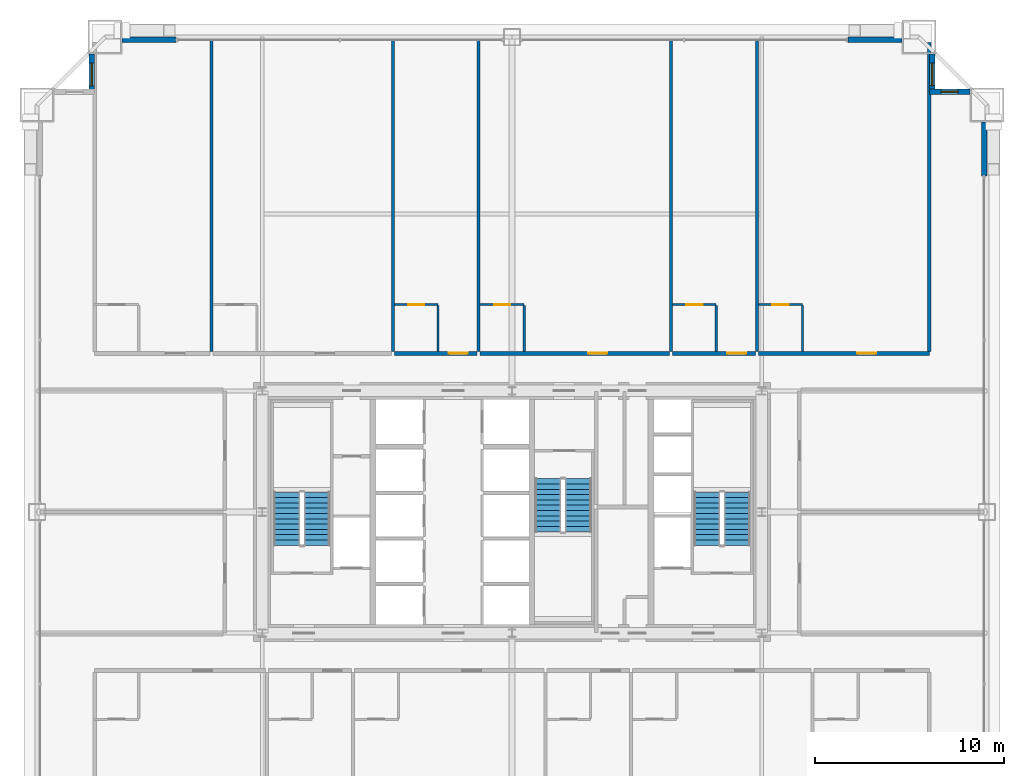
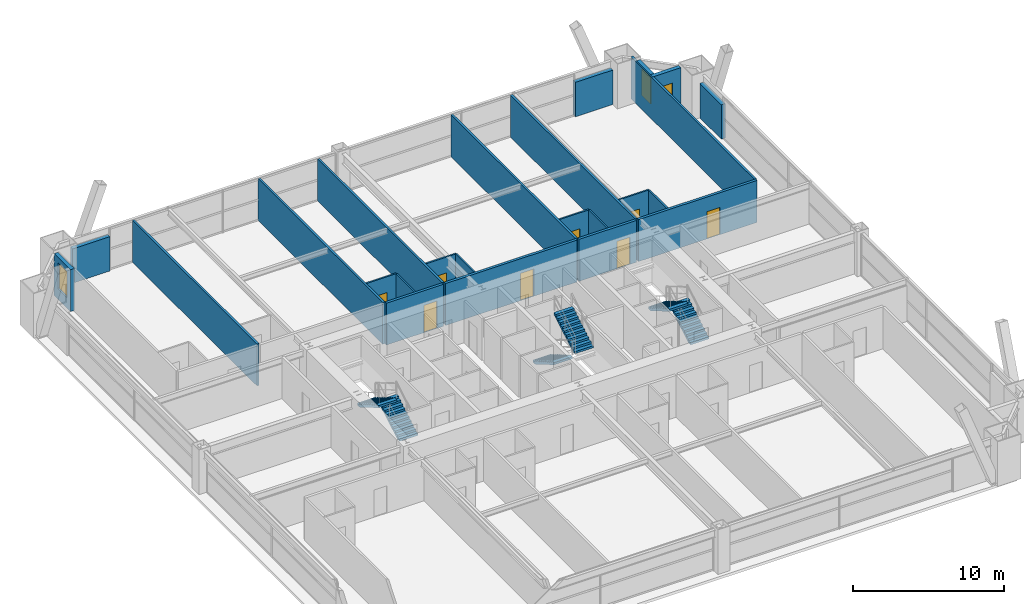
# One storey, part 42 of 43: 24 walls, 8 doors, 6 stair flights, 3 windows, 11 openings, 3 elements without a shape of their own.
"""IFC4 building model written with IfcOpenShell, lengths in metres."""

from ifc_helpers import new_model, si_unit, direction, frame, frame_2d, origin, place, context, subcontext, project, spatial, polyline, rectangle, outline, extrude, source, transform, mapped, material, layer, layer_set, type_object, element, fill, aggregate, save


model = new_model("IFC4")

# Units and contexts
model_context = context("Model", 3, precision=1e-05, world=origin(), true_north=direction((0.0, 1.0)))
body_context = subcontext(model_context, "Body", "Model", "MODEL_VIEW")
ifc_project = project(units=[si_unit("LENGTHUNIT", "METRE"), si_unit("AREAUNIT", "SQUARE_METRE"), si_unit("VOLUMEUNIT", "CUBIC_METRE"), si_unit("PLANEANGLEUNIT", "RADIAN"), si_unit("MASSUNIT", "GRAM", prefix="KILO"), si_unit("THERMODYNAMICTEMPERATUREUNIT", "KELVIN"), si_unit("POWERUNIT", "WATT")], contexts=[model_context])

# Site, building, storey
site_placement = place(None, origin())
site = spatial("IfcSite", under=ifc_project, at=site_placement, CompositionType="ELEMENT")
building_placement = place(site_placement, origin())
building = spatial("IfcBuilding", under=site, at=building_placement, Name="Yuzanri Waterfront Tower", CompositionType="ELEMENT")
storey_placement = place(building_placement, frame((0.0, 0.0, 74.800048828125)))
storey = spatial("IfcBuildingStorey", under=building, at=storey_placement, Name="L19", CompositionType="ELEMENT", Elevation=74.800048828125)

# Wall, opening, door
ifc_material_1 = material(Name="Moisture-Resistant Gypsum Stud Wall", Category="gypsum")
ifc_layer_1 = layer(ifc_material_1, 0.1201171875)
ifc_layer_set_1 = layer_set([ifc_layer_1], Name="Moisture-Resistant Gypsum Stud Wall")
wall_type_1 = type_object("IfcWallType", Name="Bathroom and Kitchen Wet Partition 120", PredefinedType="PARTITIONING", material=ifc_layer_set_1)
wall_1_placement = place(storey_placement, frame((30.785888671875, 36.760009765625, 0.0), z_axis=(0.0, 0.0, 1.0), x_axis=(1.0, 0.0, 0.0)))
wall_1 = element("IfcWall", 1, at=wall_1_placement, inside=storey, type_object=wall_type_1, Name="L19 Partition UW-L19-N3-BN", PredefinedType="PARTITIONING", context=body_context, shape_type="SweptSolid", body=[
    extrude(rectangle(XDim=2.299072265625, YDim=0.1201171875, at=frame_2d((1.1494140625, 0.0))), origin(), (0.0, 0.0, 1.0), 3.3798828125),
])
opening_1_placement = place(wall_1_placement, frame((0.724609375, 0.0, 0.0)))
opening_1 = element("IfcOpeningElement", 2, at=opening_1_placement, cuts=wall_1, Name="Opening ID-0850", PredefinedType="OPENING", context=body_context, shape_type="SweptSolid", body=[
    extrude(rectangle(XDim=0.85009765625, YDim=2.10009765625, at=frame_2d((0.425048828125, 1.050048828125))), frame((0.0, 0.074951171875, 0.0), z_axis=(0.0, -1.0, 0.0), x_axis=(1.0, 0.0, 0.0)), (0.0, 0.0, 1.0), 0.14990234375),
])
ifc_material_2 = material(Name="Moisture-Resistant Lacquered Timber", Category="wood")
door_type_1 = type_object("IfcDoorType", Name="En-Suite Bathroom and Kitchen Swing Door 850x2100", OperationType="NOTDEFINED", PredefinedType="DOOR", material=ifc_material_2)
shared_shape_1 = source(origin(), body_context, "Body", "SweptSolid", [
    extrude(rectangle(XDim=0.85009765625, YDim=2.10009765625, at=frame_2d((0.425048828125, 1.050048828125))), frame((0.0, 0.02490234375, 0.0), z_axis=(0.0, -1.0, 0.0), x_axis=(1.0, 0.0, 0.0)), (0.0, 0.0, 1.0), 0.050048828125),
])
door_1_placement = place(opening_1_placement, origin())
door_1 = element("IfcDoor", 3, at=door_1_placement, inside=storey, type_object=door_type_1, Name="L19 Guest En-Suite Door", OperationType="SINGLE_SWING_LEFT", OverallHeight=2.10009765625, OverallWidth=0.85009765625, PredefinedType="DOOR", context=body_context, shape_type="MappedRepresentation", body=[
    mapped(shared_shape_1, transform((0.0, 0.0, 0.0), scale=1.0)),
])
fill(opening_1, door_1)

wall_2_placement = place(storey_placement, frame((35.31494140625, 36.760009765625, 0.0), z_axis=(0.0, 0.0, 1.0), x_axis=(1.0, 0.0, 0.0)))
wall_2 = element("IfcWall", 4, at=wall_2_placement, inside=storey, type_object=wall_type_1, Name="L19 Partition UW-L19-N4-BN", PredefinedType="PARTITIONING", context=body_context, shape_type="SweptSolid", body=[
    extrude(rectangle(XDim=2.330078125, YDim=0.1201171875, at=frame_2d((1.1650390625, 0.0))), origin(), (0.0, 0.0, 1.0), 3.3798828125),
])
opening_2_placement = place(wall_2_placement, frame((0.739990234375, 0.0, 0.0)))
opening_2 = element("IfcOpeningElement", 5, at=opening_2_placement, cuts=wall_2, Name="Opening ID-0850", PredefinedType="OPENING", context=body_context, shape_type="SweptSolid", body=[
    extrude(rectangle(XDim=0.85009765625, YDim=2.10009765625, at=frame_2d((0.425048828125, 1.050048828125))), frame((0.0, 0.074951171875, 0.0), z_axis=(0.0, -1.0, 0.0), x_axis=(1.0, 0.0, 0.0)), (0.0, 0.0, 1.0), 0.14990234375),
])
door_2_placement = place(opening_2_placement, origin())
door_2 = element("IfcDoor", 6, at=door_2_placement, inside=storey, type_object=door_type_1, Name="L19 Guest En-Suite Door", OperationType="SINGLE_SWING_LEFT", OverallHeight=2.10009765625, OverallWidth=0.85009765625, PredefinedType="DOOR", context=body_context, shape_type="MappedRepresentation", body=[
    mapped(shared_shape_1, transform((0.0, 0.0, 0.0), scale=1.0)),
])
fill(opening_2, door_2)

wall_3_placement = place(storey_placement, frame((45.491943359375, 36.760009765625, 0.0), z_axis=(0.0, 0.0, 1.0), x_axis=(1.0, 0.0, 0.0)))
wall_3 = element("IfcWall", 7, at=wall_3_placement, inside=storey, type_object=wall_type_1, Name="L19 Partition UW-L19-N5-BN", PredefinedType="PARTITIONING", context=body_context, shape_type="SweptSolid", body=[
    extrude(rectangle(XDim=2.300048828125, YDim=0.1201171875, at=frame_2d((1.14990234375, 0.0))), origin(), (0.0, 0.0, 1.0), 3.3798828125),
])
opening_3_placement = place(wall_3_placement, frame((0.72509765625, 0.0, 0.0)))
opening_3 = element("IfcOpeningElement", 8, at=opening_3_placement, cuts=wall_3, Name="Opening ID-0850", PredefinedType="OPENING", context=body_context, shape_type="SweptSolid", body=[
    extrude(rectangle(XDim=0.85009765625, YDim=2.10009765625, at=frame_2d((0.425048828125, 1.050048828125))), frame((0.0, 0.074951171875, 0.0), z_axis=(0.0, -1.0, 0.0), x_axis=(1.0, 0.0, 0.0)), (0.0, 0.0, 1.0), 0.14990234375),
])
door_3_placement = place(opening_3_placement, origin())
door_3 = element("IfcDoor", 9, at=door_3_placement, inside=storey, type_object=door_type_1, Name="L19 Guest En-Suite Door", OperationType="SINGLE_SWING_LEFT", OverallHeight=2.10009765625, OverallWidth=0.85009765625, PredefinedType="DOOR", context=body_context, shape_type="MappedRepresentation", body=[
    mapped(shared_shape_1, transform((0.0, 0.0, 0.0), scale=1.0)),
])
fill(opening_3, door_3)

wall_4_placement = place(storey_placement, frame((50.02197265625, 36.760009765625, 0.0), z_axis=(0.0, 0.0, 1.0), x_axis=(1.0, 0.0, 0.0)))
wall_4 = element("IfcWall", 10, at=wall_4_placement, inside=storey, type_object=wall_type_1, Name="L19 Partition UW-L19-N6-BN", PredefinedType="PARTITIONING", context=body_context, shape_type="SweptSolid", body=[
    extrude(rectangle(XDim=2.330078125, YDim=0.1201171875, at=frame_2d((1.1650390625, 0.0))), origin(), (0.0, 0.0, 1.0), 3.3798828125),
])
opening_4_placement = place(wall_4_placement, frame((0.739990234375, 0.0, 0.0)))
opening_4 = element("IfcOpeningElement", 11, at=opening_4_placement, cuts=wall_4, Name="Opening ID-0850", PredefinedType="OPENING", context=body_context, shape_type="SweptSolid", body=[
    extrude(rectangle(XDim=0.85009765625, YDim=2.10009765625, at=frame_2d((0.425048828125, 1.050048828125))), frame((0.0, 0.074951171875, 0.0), z_axis=(0.0, -1.0, 0.0), x_axis=(1.0, 0.0, 0.0)), (0.0, 0.0, 1.0), 0.14990234375),
])
door_4_placement = place(opening_4_placement, origin())
door_4 = element("IfcDoor", 12, at=door_4_placement, inside=storey, type_object=door_type_1, Name="L19 Guest En-Suite Door", OperationType="SINGLE_SWING_LEFT", OverallHeight=2.10009765625, OverallWidth=0.85009765625, PredefinedType="DOOR", context=body_context, shape_type="MappedRepresentation", body=[
    mapped(shared_shape_1, transform((0.0, 0.0, 0.0), scale=1.0)),
])
fill(opening_4, door_4)

# Wall, opening, window
ifc_material_3 = material(Name="Honed Chongqing Dark Basalt Stone", Category="masonry")
ifc_layer_2 = layer(ifc_material_3, 0.300048828125)
ifc_layer_set_2 = layer_set([ifc_layer_2], Name="Honed Chongqing Dark Basalt Stone")
wall_type_2 = type_object("IfcWallType", Name="Bronze Rainscreen Insulated Spandrel Portal Wall 300", PredefinedType="SOLIDWALL", material=ifc_layer_set_2)
wall_5_placement = place(storey_placement, frame((14.800048828125, 50.0, 0.0), z_axis=(0.0, 0.0, 1.0), x_axis=(0.0, -1.0, 0.0)))
wall_5 = element("IfcWall", 13, at=wall_5_placement, inside=storey, type_object=wall_type_2, Name="L19 Notched Corner Masonry Wall NW-Y", PredefinedType="SOLIDWALL", context=body_context, shape_type="SweptSolid", body=[
    extrude(rectangle(XDim=2.14990234375, YDim=0.300048828125, at=frame_2d((1.074951171875, 0.0))), origin(), (0.0, 0.0, 1.0), 3.3798828125),
])
opening_5_placement = place(wall_5_placement, frame((0.47509765625, 0.0, 0.85009765625)))
opening_5 = element("IfcOpeningElement", 14, at=opening_5_placement, cuts=wall_5, Name="Opening WN-02", PredefinedType="OPENING", context=body_context, shape_type="SweptSolid", body=[
    extrude(rectangle(XDim=1.199951171875, YDim=2.10009765625, at=frame_2d((0.60009765625, 1.050048828125))), frame((0.0, 0.1650390625, 0.0), z_axis=(0.0, -1.0, 0.0), x_axis=(1.0, 0.0, 0.0)), (0.0, 0.0, 1.0), 0.329833984375),
])
ifc_material_4 = material(Name="Double-Silver Low-E Insulated Glass", Category="glass")
window_type_1 = type_object("IfcWindowType", Name="Anodized Bronze Notched Corner Deep-Set Slot Window 1200x2100", PartitioningType="SINGLE_PANEL", PredefinedType="WINDOW", material=ifc_material_4)
shared_shape_2 = source(origin(), body_context, "Body", "SweptSolid", [
    extrude(rectangle(XDim=1.199951171875, YDim=2.10009765625, at=frame_2d((0.60009765625, 1.050048828125))), frame((0.0, 0.030029296875, 0.0), z_axis=(0.0, -1.0, 0.0), x_axis=(1.0, 0.0, 0.0)), (0.0, 0.0, 1.0), 0.06005859375),
])
window_1_placement = place(opening_5_placement, origin())
window_1 = element("IfcWindow", 15, at=window_1_placement, inside=storey, type_object=window_type_1, Name="L19 Notched Corner Window NW-Y", OverallHeight=2.10009765625, OverallWidth=1.199951171875, PartitioningType="SINGLE_PANEL", PredefinedType="WINDOW", context=body_context, shape_type="MappedRepresentation", body=[
    mapped(shared_shape_2, transform((0.0, 0.0, 0.0), scale=1.0)),
])
fill(opening_5, window_1)

wall_6_placement = place(storey_placement, frame((61.199951171875, 48.0, 0.0), z_axis=(0.0, 0.0, 1.0), x_axis=(-1.0, 0.0, 0.0)))
wall_6 = element("IfcWall", 16, at=wall_6_placement, inside=storey, type_object=wall_type_2, Name="L19 Notched Corner Masonry Wall NE-X", PredefinedType="SOLIDWALL", context=body_context, shape_type="SweptSolid", body=[
    extrude(rectangle(XDim=2.14990234375, YDim=0.300048828125, at=frame_2d((1.074951171875, 0.0))), origin(), (0.0, 0.0, 1.0), 3.3798828125),
])
opening_6_placement = place(wall_6_placement, frame((0.625, 0.0, 0.85009765625)))
opening_6 = element("IfcOpeningElement", 17, at=opening_6_placement, cuts=wall_6, Name="Opening WN-05", PredefinedType="OPENING", context=body_context, shape_type="SweptSolid", body=[
    extrude(rectangle(XDim=0.89990234375, YDim=1.5, at=frame_2d((0.449951171875, 0.75))), frame((0.0, 0.1650390625, 0.0), z_axis=(0.0, -1.0, 0.0), x_axis=(1.0, 0.0, 0.0)), (0.0, 0.0, 1.0), 0.329833984375),
])
ifc_material_5 = material(Name="Double-Silver Low-E Insulated Glass", Category="glass")
window_type_2 = type_object("IfcWindowType", Name="Anodized Bronze Service and Stairwell Smoke-Vent Window 900x1500", PartitioningType="SINGLE_PANEL", PredefinedType="WINDOW", material=ifc_material_5)
shared_shape_3 = source(origin(), body_context, "Body", "SweptSolid", [
    extrude(rectangle(XDim=0.89990234375, YDim=1.5, at=frame_2d((0.449951171875, 0.75))), frame((0.0, 0.030029296875, 0.0), z_axis=(0.0, -1.0, 0.0), x_axis=(1.0, 0.0, 0.0)), (0.0, 0.0, 1.0), 0.06005859375),
])
window_2_placement = place(opening_6_placement, origin())
window_2 = element("IfcWindow", 18, at=window_2_placement, inside=storey, type_object=window_type_2, Name="L19 Notched Corner Window NE-X", OverallHeight=1.5, OverallWidth=0.89990234375, PartitioningType="SINGLE_PANEL", PredefinedType="WINDOW", context=body_context, shape_type="MappedRepresentation", body=[
    mapped(shared_shape_3, transform((0.0, 0.0, 0.0), scale=1.0)),
])
fill(opening_6, window_2)

wall_7_placement = place(storey_placement, frame((59.199951171875, 47.85009765625, 0.0), z_axis=(0.0, 0.0, 1.0), x_axis=(0.0, 1.0, 0.0)))
wall_7 = element("IfcWall", 19, at=wall_7_placement, inside=storey, type_object=wall_type_2, Name="L19 Notched Corner Masonry Wall NE-Y", PredefinedType="SOLIDWALL", context=body_context, shape_type="SweptSolid", body=[
    extrude(rectangle(XDim=2.14990234375, YDim=0.300048828125, at=frame_2d((1.074951171875, 0.0))), origin(), (0.0, 0.0, 1.0), 3.3798828125),
])
opening_7_placement = place(wall_7_placement, frame((0.47509765625, 0.0, 0.85009765625)))
opening_7 = element("IfcOpeningElement", 20, at=opening_7_placement, cuts=wall_7, Name="Opening WN-02", PredefinedType="OPENING", context=body_context, shape_type="SweptSolid", body=[
    extrude(rectangle(XDim=1.199951171875, YDim=2.10009765625, at=frame_2d((0.60009765625, 1.050048828125))), frame((0.0, 0.1650390625, 0.0), z_axis=(0.0, -1.0, 0.0), x_axis=(1.0, 0.0, 0.0)), (0.0, 0.0, 1.0), 0.329833984375),
])
window_3_placement = place(opening_7_placement, origin())
window_3 = element("IfcWindow", 21, at=window_3_placement, inside=storey, type_object=window_type_1, Name="L19 Notched Corner Window NE-Y", OverallHeight=2.10009765625, OverallWidth=1.199951171875, PartitioningType="SINGLE_PANEL", PredefinedType="WINDOW", context=body_context, shape_type="MappedRepresentation", body=[
    mapped(shared_shape_2, transform((0.0, 0.0, 0.0), scale=1.0)),
])
fill(opening_7, window_3)

# Wall, opening, door
ifc_material_6 = material(Name="Autoclaved Aerated Concrete Blockwork", Category="masonry")
ifc_layer_3 = layer(ifc_material_6, 0.199951171875)
ifc_layer_set_3 = layer_set([ifc_layer_3], Name="Autoclaved Aerated Concrete Blockwork")
wall_type_3 = type_object("IfcWallType", Name="Corridor and Unit Party Fire Wall 200", PredefinedType="PARTITIONING", material=ifc_layer_set_3)
wall_8_placement = place(storey_placement, frame((30.785888671875, 34.179931640625, 0.0), z_axis=(0.0, 0.0, 1.0), x_axis=(1.0, 0.0, 0.0)))
wall_8 = element("IfcWall", 22, at=wall_8_placement, inside=storey, type_object=wall_type_3, Name="L19 Partition UW-L19-N3-CS", PredefinedType="PARTITIONING", context=body_context, shape_type="SweptSolid", body=[
    extrude(rectangle(XDim=4.369140625, YDim=0.199951171875, at=frame_2d((2.1845703125, 0.0))), origin(), (0.0, 0.0, 1.0), 3.3798828125),
])
opening_8_placement = place(wall_8_placement, frame((2.8740234375, 0.0, 0.0)))
opening_8 = element("IfcOpeningElement", 23, at=opening_8_placement, cuts=wall_8, Name="Opening FD-1000", PredefinedType="OPENING", context=body_context, shape_type="SweptSolid", body=[
    extrude(rectangle(XDim=1.0, YDim=2.199951171875, at=frame_2d((0.5, 1.10009765625))), frame((0.0, 0.11474609375, 0.0), z_axis=(0.0, -1.0, 0.0), x_axis=(1.0, 0.0, 0.0)), (0.0, 0.0, 1.0), 0.229736328125),
])
ifc_material_7 = material(Name="Engineered Oak Fire-Rated Timber", Category="wood")
door_type_2 = type_object("IfcDoorType", Name="Guestroom and Apartment Entrance Fire Door 1000x2200", OperationType="NOTDEFINED", PredefinedType="DOOR", material=ifc_material_7)
shared_shape_4 = source(origin(), body_context, "Body", "SweptSolid", [
    extrude(rectangle(XDim=1.0, YDim=2.199951171875, at=frame_2d((0.5, 1.10009765625))), frame((0.0, 0.02490234375, 0.0), z_axis=(0.0, -1.0, 0.0), x_axis=(1.0, 0.0, 0.0)), (0.0, 0.0, 1.0), 0.050048828125),
])
door_5_placement = place(opening_8_placement, origin())
door_5 = element("IfcDoor", 24, at=door_5_placement, inside=storey, type_object=door_type_2, Name="L19 Superior Cityview Guest Room Entrance Door", OperationType="SINGLE_SWING_RIGHT", OverallHeight=2.199951171875, OverallWidth=1.0, PredefinedType="DOOR", context=body_context, shape_type="MappedRepresentation", body=[
    mapped(shared_shape_4, transform((0.0, 0.0, 0.0), scale=1.0)),
])
fill(opening_8, door_5)

wall_9_placement = place(storey_placement, frame((35.31494140625, 34.179931640625, 0.0), z_axis=(0.0, 0.0, 1.0), x_axis=(1.0, 0.0, 0.0)))
wall_9 = element("IfcWall", 25, at=wall_9_placement, inside=storey, type_object=wall_type_3, Name="L19 Partition UW-L19-N4-CS", PredefinedType="PARTITIONING", context=body_context, shape_type="SweptSolid", body=[
    extrude(rectangle(XDim=10.01708984375, YDim=0.199951171875, at=frame_2d((5.008544921875, 0.0))), origin(), (0.0, 0.0, 1.0), 3.3798828125),
])
opening_9_placement = place(wall_9_placement, frame((5.712890625, 0.0, 0.0)))
opening_9 = element("IfcOpeningElement", 26, at=opening_9_placement, cuts=wall_9, Name="Opening FD-1000", PredefinedType="OPENING", context=body_context, shape_type="SweptSolid", body=[
    extrude(rectangle(XDim=1.0, YDim=2.199951171875, at=frame_2d((0.5, 1.10009765625))), frame((0.0, 0.11474609375, 0.0), z_axis=(0.0, -1.0, 0.0), x_axis=(1.0, 0.0, 0.0)), (0.0, 0.0, 1.0), 0.229736328125),
])
door_6_placement = place(opening_9_placement, origin())
door_6 = element("IfcDoor", 27, at=door_6_placement, inside=storey, type_object=door_type_2, Name="L19 Superior Cityview Junior Suite Entrance Door", OperationType="SINGLE_SWING_RIGHT", OverallHeight=2.199951171875, OverallWidth=1.0, PredefinedType="DOOR", context=body_context, shape_type="MappedRepresentation", body=[
    mapped(shared_shape_4, transform((0.0, 0.0, 0.0), scale=1.0)),
])
fill(opening_9, door_6)

wall_10_placement = place(storey_placement, frame((45.491943359375, 34.179931640625, 0.0), z_axis=(0.0, 0.0, 1.0), x_axis=(1.0, 0.0, 0.0)))
wall_10 = element("IfcWall", 28, at=wall_10_placement, inside=storey, type_object=wall_type_3, Name="L19 Partition UW-L19-N5-CS", PredefinedType="PARTITIONING", context=body_context, shape_type="SweptSolid", body=[
    extrude(rectangle(XDim=4.3701171875, YDim=0.199951171875, at=frame_2d((2.18505859375, 0.0))), origin(), (0.0, 0.0, 1.0), 3.3798828125),
])
opening_10_placement = place(wall_10_placement, frame((2.875, 0.0, 0.0)))
opening_10 = element("IfcOpeningElement", 29, at=opening_10_placement, cuts=wall_10, Name="Opening FD-1000", PredefinedType="OPENING", context=body_context, shape_type="SweptSolid", body=[
    extrude(rectangle(XDim=1.0, YDim=2.199951171875, at=frame_2d((0.5, 1.10009765625))), frame((0.0, 0.11474609375, 0.0), z_axis=(0.0, -1.0, 0.0), x_axis=(1.0, 0.0, 0.0)), (0.0, 0.0, 1.0), 0.229736328125),
])
door_7_placement = place(opening_10_placement, origin())
door_7 = element("IfcDoor", 30, at=door_7_placement, inside=storey, type_object=door_type_2, Name="L19 Superior Cityview Guest Room Entrance Door", OperationType="SINGLE_SWING_RIGHT", OverallHeight=2.199951171875, OverallWidth=1.0, PredefinedType="DOOR", context=body_context, shape_type="MappedRepresentation", body=[
    mapped(shared_shape_4, transform((0.0, 0.0, 0.0), scale=1.0)),
])
fill(opening_10, door_7)

wall_11_placement = place(storey_placement, frame((50.02197265625, 34.179931640625, 0.0), z_axis=(0.0, 0.0, 1.0), x_axis=(1.0, 0.0, 0.0)))
wall_11 = element("IfcWall", 31, at=wall_11_placement, inside=storey, type_object=wall_type_3, Name="L19 Partition UW-L19-N6-CS", PredefinedType="PARTITIONING", context=body_context, shape_type="SweptSolid", body=[
    extrude(rectangle(XDim=9.0380859375, YDim=0.199951171875, at=frame_2d((4.51904296875, 0.0))), origin(), (0.0, 0.0, 1.0), 3.3798828125),
])
opening_11_placement = place(wall_11_placement, frame((5.22412109375, 0.0, 0.0)))
opening_11 = element("IfcOpeningElement", 32, at=opening_11_placement, cuts=wall_11, Name="Opening FD-1000", PredefinedType="OPENING", context=body_context, shape_type="SweptSolid", body=[
    extrude(rectangle(XDim=1.0, YDim=2.199951171875, at=frame_2d((0.5, 1.10009765625))), frame((0.0, 0.11474609375, 0.0), z_axis=(0.0, -1.0, 0.0), x_axis=(1.0, 0.0, 0.0)), (0.0, 0.0, 1.0), 0.229736328125),
])
door_8_placement = place(opening_11_placement, origin())
door_8 = element("IfcDoor", 33, at=door_8_placement, inside=storey, type_object=door_type_2, Name="L19 Superior Cityview Junior Suite Entrance Door", OperationType="SINGLE_SWING_RIGHT", OverallHeight=2.199951171875, OverallWidth=1.0, PredefinedType="DOOR", context=body_context, shape_type="MappedRepresentation", body=[
    mapped(shared_shape_4, transform((0.0, 0.0, 0.0), scale=1.0)),
])
fill(opening_11, door_8)

# Walls
shared_shape_5 = source(origin(), body_context, "Body", "SweptSolid", [
    extrude(rectangle(XDim=2.85009765625, YDim=0.300048828125, at=frame_2d((1.425048828125, 0.0))), origin(), (0.0, 0.0, 1.0), 2.77490234375),
])
for number, where, z_axis, x_axis, name in (
    (34, (16.39990234375, 50.75, 0.0), (0.0, 0.0, 1.0), (1.0, 0.0, 0.0), "L19 N Left Braced Masonry Shoulder"),
    (35, (54.75, 50.75, 0.0), (0.0, 0.0, 1.0), (1.0, 0.0, 0.0), "L19 N Right Braced Masonry Shoulder"),
):
    element("IfcWall", number, at=place(storey_placement, frame(where, z_axis=z_axis, x_axis=x_axis)), inside=storey, type_object=wall_type_2, Name=name, PredefinedType="SOLIDWALL", context=body_context, shape_type="MappedRepresentation", body=[
        mapped(shared_shape_5, transform((0.0, 0.0, 0.0), scale=1.0)),
    ])
shared_shape_6 = source(origin(), body_context, "Body", "SweptSolid", [
    extrude(rectangle(XDim=2.849853515625, YDim=0.300048828125, at=frame_2d((1.4248046875, 0.0))), origin(), (0.0, 0.0, 1.0), 2.77490234375),
])
wall_12_placement = place(storey_placement, frame((61.949951171875, 43.550048828125, 0.0), z_axis=(0.0, 0.0, 1.0), x_axis=(0.0, 1.0, 0.0)))
element("IfcWall", 36, at=wall_12_placement, inside=storey, type_object=wall_type_2, Name="L19 E Right Braced Masonry Shoulder", PredefinedType="SOLIDWALL", context=body_context, shape_type="MappedRepresentation", body=[
    mapped(shared_shape_6, transform((0.0, 0.0, 0.0), scale=1.0)),
])
ifc_material_8 = material(Name="Gypsum Fireboard Acoustic Stud Wall", Category="gypsum")
ifc_layer_4 = layer(ifc_material_8, 0.159912109375)
ifc_layer_set_4 = layer_set([ifc_layer_4], Name="Gypsum Fireboard Acoustic Stud Wall")
wall_type_4 = type_object("IfcWallType", Name="Acoustic Suite Demising Partition 160", PredefinedType="PARTITIONING", material=ifc_layer_set_4)
shared_shape_7 = source(origin(), body_context, "Body", "SweptSolid", [
    extrude(rectangle(XDim=16.469970703125, YDim=0.159912109375, at=frame_2d((8.23486328125, 0.0))), origin(), (0.0, 0.0, 1.0), 3.3798828125),
])
for number, where, z_axis, x_axis, name in (
    (37, (21.116943359375, 34.280029296875, 0.0), (0.0, 0.0, 1.0), (0.0, 1.0, 0.0), "L19-N1 Party Wall"),
    (38, (30.7060546875, 34.280029296875, 0.0), (0.0, 0.0, 1.0), (0.0, 1.0, 0.0), "L19-N2 Party Wall"),
    (39, (35.235107421875, 34.280029296875, 0.0), (0.0, 0.0, 1.0), (0.0, 1.0, 0.0), "L19-N3 Party Wall"),
    (40, (45.412109375, 34.280029296875, 0.0), (0.0, 0.0, 1.0), (0.0, 1.0, 0.0), "L19-N4 Party Wall"),
    (41, (49.94189453125, 34.280029296875, 0.0), (0.0, 0.0, 1.0), (0.0, 1.0, 0.0), "L19-N5 Party Wall"),
):
    element("IfcWall", number, at=place(storey_placement, frame(where, z_axis=z_axis, x_axis=x_axis)), inside=storey, type_object=wall_type_4, Name=name, PredefinedType="PARTITIONING", context=body_context, shape_type="MappedRepresentation", body=[
        mapped(shared_shape_7, transform((0.0, 0.0, 0.0), scale=1.0)),
    ])
shared_shape_8 = source(origin(), body_context, "Body", "SweptSolid", [
    extrude(rectangle(XDim=16.320068359375, YDim=0.159912109375, at=frame_2d((8.16015625, 0.0))), origin(), (0.0, 0.0, 1.0), 3.3798828125),
])
wall_13_placement = place(storey_placement, frame((59.050048828125, 34.280029296875, 0.0), z_axis=(0.0, 0.0, 1.0), x_axis=(0.0, 1.0, 0.0)))
element("IfcWall", 42, at=wall_13_placement, inside=storey, type_object=wall_type_4, Name="L19 North Band East End Wall", PredefinedType="PARTITIONING", context=body_context, shape_type="MappedRepresentation", body=[
    mapped(shared_shape_8, transform((0.0, 0.0, 0.0), scale=1.0)),
])
shared_shape_9 = source(origin(), body_context, "Body", "SweptSolid", [
    extrude(rectangle(XDim=2.419921875, YDim=0.1201171875, at=frame_2d((1.2099609375, 0.0))), origin(), (0.0, 0.0, 1.0), 3.3798828125),
])
for number, where, z_axis, x_axis, name in (
    (43, (33.0849609375, 34.280029296875, 0.0), (0.0, 0.0, 1.0), (0.0, 1.0, 0.0), "L19-N3 En-Suite Side Wall"),
    (44, (37.64501953125, 34.280029296875, 0.0), (0.0, 0.0, 1.0), (0.0, 1.0, 0.0), "L19-N4 En-Suite Side Wall"),
    (45, (47.7919921875, 34.280029296875, 0.0), (0.0, 0.0, 1.0), (0.0, 1.0, 0.0), "L19-N5 En-Suite Side Wall"),
    (46, (52.35205078125, 34.280029296875, 0.0), (0.0, 0.0, 1.0), (0.0, 1.0, 0.0), "L19-N6 En-Suite Side Wall"),
):
    element("IfcWall", number, at=place(storey_placement, frame(where, z_axis=z_axis, x_axis=x_axis)), inside=storey, type_object=wall_type_1, Name=name, PredefinedType="PARTITIONING", context=body_context, shape_type="MappedRepresentation", body=[
        mapped(shared_shape_9, transform((0.0, 0.0, 0.0), scale=1.0)),
    ])

# Stair, stair flights
ifc_material_9 = material(Name="Concrete C40", Category="concrete")
stair_type = type_object("IfcStairType", Name="Concrete C40 Core Dogleg Exit Stair", PredefinedType="HALF_TURN_STAIR", material=ifc_material_9)
stair_1_placement = place(storey_placement, origin())
stair_1 = element("IfcStair", 47, at=stair_1_placement, inside=storey, type_object=stair_type, Name="L19 Smoke-Proof Core Stair ST-01", PredefinedType="HALF_TURN_STAIR")
ifc_material_10 = material(Name="Concrete C40", Category="concrete")
stair_flight_type = type_object("IfcStairFlightType", Name="Concrete C40 Precast Stair Flight 1380", PredefinedType="STRAIGHT", material=ifc_material_10)
shared_shape_10 = source(origin(), body_context, "Body", "SweptSolid", [
    extrude(outline(polyline([(0.0, 0.0), (0.0, 0.16357421875), (0.280029296875, 0.16357421875), (0.280029296875, 0.327392578125), (0.56005859375, 0.327392578125), (0.56005859375, 0.490966796875), (0.840087890625, 0.490966796875), (0.840087890625, 0.654541015625), (1.1201171875, 0.654541015625), (1.1201171875, 0.818115234375), (1.39990234375, 0.818115234375), (1.39990234375, 0.98193359375), (1.679931640625, 0.98193359375), (1.679931640625, 1.1455078125), (1.9599609375, 1.1455078125), (1.9599609375, 1.30908203125), (2.239990234375, 1.30908203125), (2.239990234375, 1.47265625), (2.52001953125, 1.47265625), (2.52001953125, 1.636474609375), (2.800048828125, 1.636474609375), (2.800048828125, 1.800048828125), (2.800048828125, 1.462646484375), (0.297119140625, 0.0), (0.0, 0.0)])), frame((0.0, 0.699951171875, 0.0), z_axis=(0.0, -1.0, 0.0), x_axis=(1.0, 0.0, 0.0)), (0.0, 0.0, 1.0), 1.39990234375),
])
stair_flight_1_placement = place(storey_placement, frame((26.699951171875, 24.0400390625, 0.0), z_axis=(0.0, 0.0, 1.0), x_axis=(0.0, 1.0, 0.0)))
stair_flight_1 = element("IfcStairFlight", 48, at=stair_flight_1_placement, type_object=stair_flight_type, Name="ST-01 flight 1", NumberOfRisers=11, NumberOfTreads=10, PredefinedType="STRAIGHT", RiserHeight=0.163636364, TreadLength=0.28, context=body_context, shape_type="MappedRepresentation", body=[
    mapped(shared_shape_10, transform((0.0, 0.0, 0.0), scale=1.0)),
])
stair_flight_2_placement = place(storey_placement, frame((25.10009765625, 26.840087890625, 1.800048828125), z_axis=(0.0, 0.0, 1.0), x_axis=(0.0, -1.0, 0.0)))
stair_flight_2 = element("IfcStairFlight", 49, at=stair_flight_2_placement, type_object=stair_flight_type, Name="ST-01 flight 2", NumberOfRisers=11, NumberOfTreads=10, PredefinedType="STRAIGHT", RiserHeight=0.163636364, TreadLength=0.28, context=body_context, shape_type="MappedRepresentation", body=[
    mapped(shared_shape_10, transform((0.0, 0.0, 0.0), scale=1.0)),
])
aggregate(stair_1, [stair_flight_1, stair_flight_2])

stair_2_placement = place(storey_placement, origin())
stair_2 = element("IfcStair", 50, at=stair_2_placement, inside=storey, type_object=stair_type, Name="L19 Smoke-Proof Core Stair ST-02", PredefinedType="HALF_TURN_STAIR")
stair_flight_3_placement = place(storey_placement, frame((48.89990234375, 24.0400390625, 0.0), z_axis=(0.0, 0.0, 1.0), x_axis=(0.0, 1.0, 0.0)))
stair_flight_3 = element("IfcStairFlight", 51, at=stair_flight_3_placement, type_object=stair_flight_type, Name="ST-02 flight 1", NumberOfRisers=11, NumberOfTreads=10, PredefinedType="STRAIGHT", RiserHeight=0.163636364, TreadLength=0.28, context=body_context, shape_type="MappedRepresentation", body=[
    mapped(shared_shape_10, transform((0.0, 0.0, 0.0), scale=1.0)),
])
stair_flight_4_placement = place(storey_placement, frame((47.300048828125, 26.840087890625, 1.800048828125), z_axis=(0.0, 0.0, 1.0), x_axis=(0.0, -1.0, 0.0)))
stair_flight_4 = element("IfcStairFlight", 52, at=stair_flight_4_placement, type_object=stair_flight_type, Name="ST-02 flight 2", NumberOfRisers=11, NumberOfTreads=10, PredefinedType="STRAIGHT", RiserHeight=0.163636364, TreadLength=0.28, context=body_context, shape_type="MappedRepresentation", body=[
    mapped(shared_shape_10, transform((0.0, 0.0, 0.0), scale=1.0)),
])
aggregate(stair_2, [stair_flight_3, stair_flight_4])

stair_3_placement = place(storey_placement, origin())
stair_3 = element("IfcStair", 53, at=stair_3_placement, inside=storey, type_object=stair_type, Name="L19 Smoke-Proof Core Stair ST-03", PredefinedType="HALF_TURN_STAIR")
stair_flight_5_placement = place(storey_placement, frame((38.89990234375, 27.56005859375, 0.0), z_axis=(0.0, 0.0, 1.0), x_axis=(0.0, -1.0, 0.0)))
stair_flight_5 = element("IfcStairFlight", 54, at=stair_flight_5_placement, type_object=stair_flight_type, Name="ST-03 flight 1", NumberOfRisers=11, NumberOfTreads=10, PredefinedType="STRAIGHT", RiserHeight=0.163636364, TreadLength=0.28, context=body_context, shape_type="MappedRepresentation", body=[
    mapped(shared_shape_10, transform((0.0, 0.0, 0.0), scale=1.0)),
])
stair_flight_6_placement = place(storey_placement, frame((40.5, 24.760009765625, 1.800048828125), z_axis=(0.0, 0.0, 1.0), x_axis=(0.0, 1.0, 0.0)))
stair_flight_6 = element("IfcStairFlight", 55, at=stair_flight_6_placement, type_object=stair_flight_type, Name="ST-03 flight 2", NumberOfRisers=11, NumberOfTreads=10, PredefinedType="STRAIGHT", RiserHeight=0.163636364, TreadLength=0.28, context=body_context, shape_type="MappedRepresentation", body=[
    mapped(shared_shape_10, transform((0.0, 0.0, 0.0), scale=1.0)),
])
aggregate(stair_3, [stair_flight_5, stair_flight_6])

save(model, "model.ifc")
